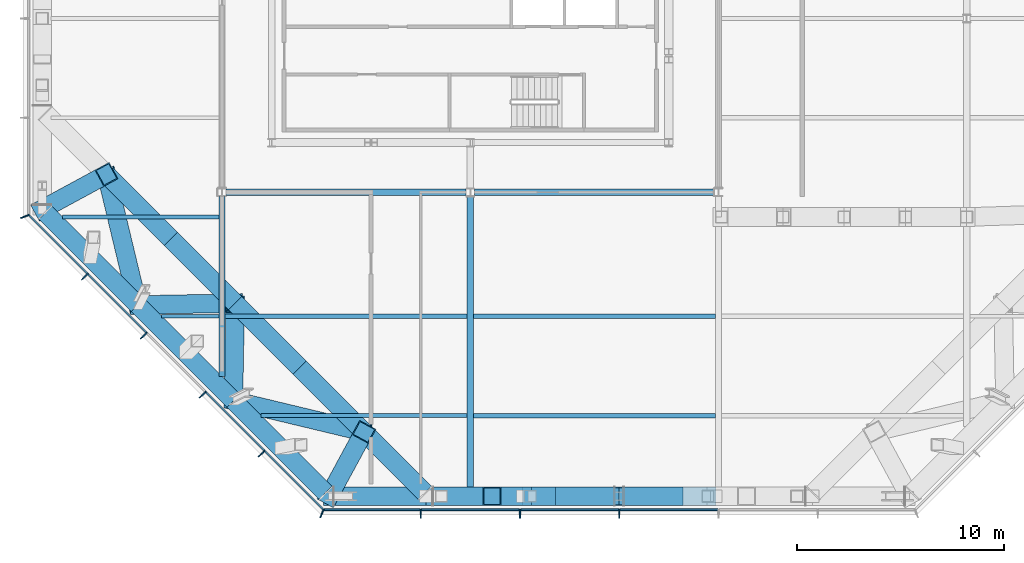
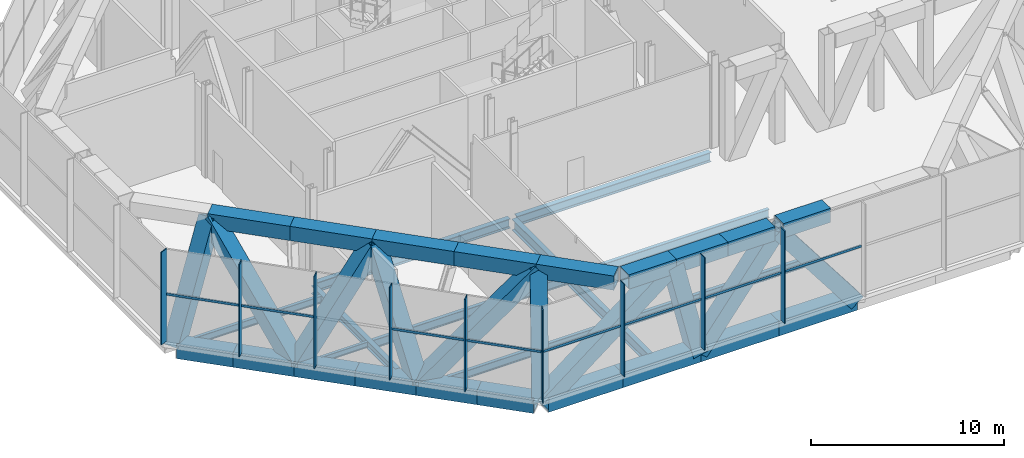
# One storey, part 3 of 18: 39 beams, 17 members, 2 elements without a shape of their own.
"""IFC4 building model written with IfcOpenShell, lengths in metres."""

from ifc_helpers import new_model, si_unit, direction, frame, origin, origin_2d, place, context, subcontext, project, spatial, rectangle, hollow_rectangle, i_section, extrude, material, material_profile, profile_set, type_object, element, aggregate, save


model = new_model("IFC4")

# Units and contexts
model_context = context("Model", 3, precision=1e-05, world=origin(), true_north=direction((0.0, 1.0)))
body_context = subcontext(model_context, "Body", "Model", "MODEL_VIEW")
ifc_project = project(units=[si_unit("LENGTHUNIT", "METRE"), si_unit("AREAUNIT", "SQUARE_METRE"), si_unit("VOLUMEUNIT", "CUBIC_METRE"), si_unit("PLANEANGLEUNIT", "RADIAN"), si_unit("MASSUNIT", "GRAM", prefix="KILO")], contexts=[model_context])

# Site, building, storey
site_placement = place(None, origin())
site = spatial("IfcSite", under=ifc_project, at=site_placement, CompositionType="ELEMENT")
building_placement = place(site_placement, origin())
building = spatial("IfcBuilding", under=site, at=building_placement, Name="Cairn Pilgrim Tower", CompositionType="ELEMENT")
storey_placement = place(building_placement, frame((0.0, 0.0, 204.60009765625)))
storey = spatial("IfcBuildingStorey", under=building, at=storey_placement, Name="L52", CompositionType="ELEMENT", Elevation=204.60009765625)

# Beams
ifc_material_1 = material(Name="Structural steel S460M", Category="steel")
ifc_material_profile_1 = material_profile(ifc_material_1, hollow_rectangle(XDim=0.89990234375, YDim=0.89990234375, WallThickness=0.050048828125, at=origin_2d()), Name="BOX 900x900x50")
ifc_profile_set_1 = profile_set([ifc_material_profile_1], Name="Structural steel S460M")
beam_type_1 = type_object("IfcBeamType", Name="BOX 900x900x50 CHORD", PredefinedType="USERDEFINED", material=ifc_profile_set_1)
beam_1_placement = place(storey_placement, frame((0.609130859375, -23.10009765625, -0.7001953125), z_axis=(1.0, 0.0, 0.0), x_axis=(0.0, 1.0, 0.0)))
element("IfcBeam", 1, at=beam_1_placement, inside=storey, type_object=beam_type_1, Name="BT52-S-BC1", ObjectType="CHORD", PredefinedType="USERDEFINED", context=body_context, shape_type="SweptSolid", body=[
    extrude(hollow_rectangle(XDim=0.89990234375, YDim=0.89990234375, WallThickness=0.050048828125, at=origin_2d()), origin(), (0.0, 0.0, 1.0), 4.439453125),
])
beam_2_placement = place(storey_placement, frame((5.4091796875, -23.10009765625, 5.39990234375), z_axis=(1.0, 0.0, 0.0), x_axis=(0.0, 1.0, 0.0)))
element("IfcBeam", 2, at=beam_2_placement, inside=storey, type_object=beam_type_1, Name="BT52-S-TC1", ObjectType="CHORD", PredefinedType="USERDEFINED", context=body_context, shape_type="SweptSolid", body=[
    extrude(hollow_rectangle(XDim=0.89990234375, YDim=0.89990234375, WallThickness=0.050048828125, at=origin_2d()), origin(), (0.0, 0.0, 1.0), 2.83935546875),
])
beam_3_placement = place(storey_placement, frame((5.048583984375, -23.10009765625, -0.7001953125), z_axis=(1.0, 0.0, 0.0), x_axis=(0.0, 1.0, 0.0)))
element("IfcBeam", 3, at=beam_3_placement, inside=storey, type_object=beam_type_1, Name="BT52-S-BC2", ObjectType="CHORD", PredefinedType="USERDEFINED", context=body_context, shape_type="SweptSolid", body=[
    extrude(hollow_rectangle(XDim=0.89990234375, YDim=0.89990234375, WallThickness=0.050048828125, at=origin_2d()), origin(), (0.0, 0.0, 1.0), 4.67578125),
])
beam_4_placement = place(storey_placement, frame((8.24853515625, -23.10009765625, 5.39990234375), z_axis=(1.0, 0.0, 0.0), x_axis=(0.0, 1.0, 0.0)))
element("IfcBeam", 4, at=beam_4_placement, inside=storey, type_object=beam_type_1, Name="BT52-S-TC2", ObjectType="CHORD", PredefinedType="USERDEFINED", context=body_context, shape_type="SweptSolid", body=[
    extrude(hollow_rectangle(XDim=0.89990234375, YDim=0.89990234375, WallThickness=0.050048828125, at=origin_2d()), origin(), (0.0, 0.0, 1.0), 3.07568359375),
])
beam_5_placement = place(storey_placement, frame((9.724365234375, -23.10009765625, -0.7001953125), z_axis=(1.0, 0.0, 0.0), x_axis=(0.0, 1.0, 0.0)))
element("IfcBeam", 5, at=beam_5_placement, inside=storey, type_object=beam_type_1, Name="BT52-S-BC3", ObjectType="CHORD", PredefinedType="USERDEFINED", context=body_context, shape_type="SweptSolid", body=[
    extrude(hollow_rectangle(XDim=0.89990234375, YDim=0.89990234375, WallThickness=0.050048828125, at=origin_2d()), origin(), (0.0, 0.0, 1.0), 4.675537109375),
])
beam_6_placement = place(storey_placement, frame((11.32421875, -23.10009765625, 5.39990234375), z_axis=(1.0, 0.0, 0.0), x_axis=(0.0, 1.0, 0.0)))
element("IfcBeam", 6, at=beam_6_placement, inside=storey, type_object=beam_type_1, Name="BT52-S-TC3", ObjectType="CHORD", PredefinedType="USERDEFINED", context=body_context, shape_type="SweptSolid", body=[
    extrude(hollow_rectangle(XDim=0.89990234375, YDim=0.89990234375, WallThickness=0.050048828125, at=origin_2d()), origin(), (0.0, 0.0, 1.0), 2.827880859375),
])
beam_7_placement = place(storey_placement, frame((14.39990234375, -23.10009765625, -0.7001953125), z_axis=(1.0, 0.0, 0.0), x_axis=(0.0, 1.0, 0.0)))
element("IfcBeam", 7, at=beam_7_placement, inside=storey, type_object=beam_type_1, Name="BT52-S-BC4", ObjectType="CHORD", PredefinedType="USERDEFINED", context=body_context, shape_type="SweptSolid", body=[
    extrude(hollow_rectangle(XDim=0.89990234375, YDim=0.89990234375, WallThickness=0.050048828125, at=origin_2d()), origin(), (0.0, 0.0, 1.0), 4.67578125),
])
beam_8_placement = place(storey_placement, frame((14.64794921875, -23.10009765625, 5.39990234375), z_axis=(1.0, 0.0, 0.0), x_axis=(0.0, 1.0, 0.0)))
element("IfcBeam", 8, at=beam_8_placement, inside=storey, type_object=beam_type_1, Name="BT52-S-TC4", ObjectType="CHORD", PredefinedType="USERDEFINED", context=body_context, shape_type="SweptSolid", body=[
    extrude(hollow_rectangle(XDim=0.89990234375, YDim=0.89990234375, WallThickness=0.050048828125, at=origin_2d()), origin(), (0.0, 0.0, 1.0), 2.82763671875),
])
beam_9_placement = place(storey_placement, frame((-13.332763671875, -9.394287109375, -0.7001953125), z_axis=(0.707066537211, -0.707147022872, 0.0), x_axis=(0.707147022872, 0.707066537211, 0.0)))
element("IfcBeam", 9, at=beam_9_placement, inside=storey, type_object=beam_type_1, Name="BT52-SW-BC1", ObjectType="CHORD", PredefinedType="USERDEFINED", context=body_context, shape_type="SweptSolid", body=[
    extrude(hollow_rectangle(XDim=0.89990234375, YDim=0.89990234375, WallThickness=0.050048828125, at=origin_2d()), origin(), (0.0, 0.0, 1.0), 3.033447265625),
])
beam_10_placement = place(storey_placement, frame((-11.18798828125, -11.539306640625, -0.7001953125), z_axis=(0.707106781187, -0.707106781187, 0.0), x_axis=(0.707106781187, 0.707106781187, 0.0)))
element("IfcBeam", 10, at=beam_10_placement, inside=storey, type_object=beam_type_1, Name="BT52-SW-BC2", ObjectType="CHORD", PredefinedType="USERDEFINED", context=body_context, shape_type="SweptSolid", body=[
    extrude(hollow_rectangle(XDim=0.89990234375, YDim=0.89990234375, WallThickness=0.050048828125, at=origin_2d()), origin(), (0.0, 0.0, 1.0), 3.27001953125),
])
beam_11_placement = place(storey_placement, frame((-10.387939453125, -7.539306640625, 5.39990234375), z_axis=(0.707106781187, -0.707106781187, 0.0), x_axis=(0.707106781187, 0.707106781187, 0.0)))
element("IfcBeam", 11, at=beam_11_placement, inside=storey, type_object=beam_type_1, Name="BT52-SW-TC2", ObjectType="CHORD", PredefinedType="USERDEFINED", context=body_context, shape_type="SweptSolid", body=[
    extrude(hollow_rectangle(XDim=0.89990234375, YDim=0.89990234375, WallThickness=0.050048828125, at=origin_2d()), origin(), (0.0, 0.0, 1.0), 4.4013671875),
])
beam_12_placement = place(storey_placement, frame((-8.875732421875, -13.8515625, -0.7001953125), z_axis=(0.707106781187, -0.707106781187, 0.0), x_axis=(0.707106781187, 0.707106781187, 0.0)))
element("IfcBeam", 12, at=beam_12_placement, inside=storey, type_object=beam_type_1, Name="BT52-SW-BC3", ObjectType="CHORD", PredefinedType="USERDEFINED", context=body_context, shape_type="SweptSolid", body=[
    extrude(hollow_rectangle(XDim=0.89990234375, YDim=0.89990234375, WallThickness=0.050048828125, at=origin_2d()), origin(), (0.0, 0.0, 1.0), 3.269775390625),
])
beam_13_placement = place(storey_placement, frame((-7.275634765625, -10.651611328125, 5.39990234375), z_axis=(0.707106781187, -0.707106781187, 0.0), x_axis=(0.707106781187, 0.707106781187, 0.0)))
element("IfcBeam", 13, at=beam_13_placement, inside=storey, type_object=beam_type_1, Name="BT52-SW-TC3", ObjectType="CHORD", PredefinedType="USERDEFINED", context=body_context, shape_type="SweptSolid", body=[
    extrude(hollow_rectangle(XDim=0.89990234375, YDim=0.89990234375, WallThickness=0.050048828125, at=origin_2d()), origin(), (0.0, 0.0, 1.0), 4.401123046875),
])
beam_14_placement = place(storey_placement, frame((-6.563720703125, -16.16357421875, -0.7001953125), z_axis=(0.707144112273, -0.707069448129, 0.0), x_axis=(0.707069448129, 0.707144112273, 0.0)))
element("IfcBeam", 14, at=beam_14_placement, inside=storey, type_object=beam_type_1, Name="BT52-SW-BC4", ObjectType="CHORD", PredefinedType="USERDEFINED", context=body_context, shape_type="SweptSolid", body=[
    extrude(hollow_rectangle(XDim=0.89990234375, YDim=0.89990234375, WallThickness=0.050048828125, at=origin_2d()), origin(), (0.0, 0.0, 1.0), 3.269775390625),
])
beam_15_placement = place(storey_placement, frame((-4.16357421875, -13.763671875, 5.39990234375), z_axis=(0.707106781187, -0.707106781187, 0.0), x_axis=(0.707106781187, 0.707106781187, 0.0)))
element("IfcBeam", 15, at=beam_15_placement, inside=storey, type_object=beam_type_1, Name="BT52-SW-TC4", ObjectType="CHORD", PredefinedType="USERDEFINED", context=body_context, shape_type="SweptSolid", body=[
    extrude(hollow_rectangle(XDim=0.89990234375, YDim=0.89990234375, WallThickness=0.050048828125, at=origin_2d()), origin(), (0.0, 0.0, 1.0), 4.401123046875),
])
beam_16_placement = place(storey_placement, frame((-4.25146484375, -18.4755859375, -0.7001953125), z_axis=(0.707106781187, -0.707106781187, 0.0), x_axis=(0.707106781187, 0.707106781187, 0.0)))
element("IfcBeam", 16, at=beam_16_placement, inside=storey, type_object=beam_type_1, Name="BT52-SW-BC5", ObjectType="CHORD", PredefinedType="USERDEFINED", context=body_context, shape_type="SweptSolid", body=[
    extrude(hollow_rectangle(XDim=0.89990234375, YDim=0.89990234375, WallThickness=0.050048828125, at=origin_2d()), origin(), (0.0, 0.0, 1.0), 3.27001953125),
])
beam_17_placement = place(storey_placement, frame((-1.051513671875, -16.875732421875, 5.39990234375), z_axis=(0.707134515759, -0.707079045527, 0.0), x_axis=(0.707079045527, 0.707134515759, 0.0)))
element("IfcBeam", 17, at=beam_17_placement, inside=storey, type_object=beam_type_1, Name="BT52-SW-TC5", ObjectType="CHORD", PredefinedType="USERDEFINED", context=body_context, shape_type="SweptSolid", body=[
    extrude(hollow_rectangle(XDim=0.89990234375, YDim=0.89990234375, WallThickness=0.050048828125, at=origin_2d()), origin(), (0.0, 0.0, 1.0), 4.4013671875),
])
beam_18_placement = place(storey_placement, frame((-1.939208984375, -20.787841796875, -0.7001953125), z_axis=(0.707066537211, -0.707147022872, 0.0), x_axis=(0.707147022872, 0.707066537211, 0.0)))
element("IfcBeam", 18, at=beam_18_placement, inside=storey, type_object=beam_type_1, Name="BT52-SW-BC6", ObjectType="CHORD", PredefinedType="USERDEFINED", context=body_context, shape_type="SweptSolid", body=[
    extrude(hollow_rectangle(XDim=0.89990234375, YDim=0.89990234375, WallThickness=0.050048828125, at=origin_2d()), origin(), (0.0, 0.0, 1.0), 3.033447265625),
])
beam_19_placement = place(storey_placement, frame((2.060791015625, -19.98779296875, 5.39990234375), z_axis=(0.707077470453, -0.707136090705, 0.0), x_axis=(0.707136090705, 0.707077470453, 0.0)))
element("IfcBeam", 19, at=beam_19_placement, inside=storey, type_object=beam_type_1, Name="BT52-SW-TC6", ObjectType="CHORD", PredefinedType="USERDEFINED", context=body_context, shape_type="SweptSolid", body=[
    extrude(hollow_rectangle(XDim=0.89990234375, YDim=0.89990234375, WallThickness=0.050048828125, at=origin_2d()), origin(), (0.0, 0.0, 1.0), 4.164794921875),
])
ifc_material_profile_2 = material_profile(ifc_material_1, hollow_rectangle(XDim=0.89990234375, YDim=0.89990234375, WallThickness=0.050048828125, at=origin_2d()), Name="BOX 900x900x50")
ifc_profile_set_2 = profile_set([ifc_material_profile_2], Name="Structural steel S460M")
beam_type_2 = type_object("IfcBeamType", Name="BOX 900x900x50 DIAGONAL", PredefinedType="USERDEFINED", material=ifc_profile_set_2)
beam_20_placement = place(storey_placement, frame((0.372802734375, -23.10009765625, -0.7001953125), z_axis=(0.790589750106, 0.0, 0.612346182341), x_axis=(0.0, 1.0, 0.0)))
element("IfcBeam", 20, at=beam_20_placement, inside=storey, type_object=beam_type_2, Name="BT52-S-D1", ObjectType="DIAGONAL", PredefinedType="USERDEFINED", context=body_context, shape_type="SweptSolid", body=[
    extrude(hollow_rectangle(XDim=0.89990234375, YDim=0.89990234375, WallThickness=0.050048828125, at=origin_2d()), origin(), (0.0, 0.0, 1.0), 9.9619140625),
])
beam_21_placement = place(storey_placement, frame((8.24853515625, -23.10009765625, 5.39990234375), z_axis=(0.235151316301, 0.0, -0.971958774044), x_axis=(0.0, 1.0, 0.0)))
element("IfcBeam", 21, at=beam_21_placement, inside=storey, type_object=beam_type_2, Name="BT52-S-D2", ObjectType="DIAGONAL", PredefinedType="USERDEFINED", context=body_context, shape_type="SweptSolid", body=[
    extrude(hollow_rectangle(XDim=0.89990234375, YDim=0.89990234375, WallThickness=0.050048828125, at=origin_2d()), origin(), (0.0, 0.0, 1.0), 6.276123046875),
])
beam_22_placement = place(storey_placement, frame((9.724365234375, -23.10009765625, -0.7001953125), z_axis=(0.608332842725, 0.0, 0.793682022262), x_axis=(0.0, 1.0, 0.0)))
element("IfcBeam", 22, at=beam_22_placement, inside=storey, type_object=beam_type_2, Name="BT52-S-D3", ObjectType="DIAGONAL", PredefinedType="USERDEFINED", context=body_context, shape_type="SweptSolid", body=[
    extrude(hollow_rectangle(XDim=0.89990234375, YDim=0.89990234375, WallThickness=0.050048828125, at=origin_2d()), origin(), (0.0, 0.0, 1.0), 7.685791015625),
])
beam_23_placement = place(storey_placement, frame((14.39990234375, -23.10009765625, 5.39990234375), z_axis=(0.608352851952, 0.0, -0.793666685405), x_axis=(0.0, 1.0, 0.0)))
element("IfcBeam", 23, at=beam_23_placement, inside=storey, type_object=beam_type_2, Name="BT52-S-D4", ObjectType="DIAGONAL", PredefinedType="USERDEFINED", context=body_context, shape_type="SweptSolid", body=[
    extrude(hollow_rectangle(XDim=0.89990234375, YDim=0.89990234375, WallThickness=0.050048828125, at=origin_2d()), origin(), (0.0, 0.0, 1.0), 7.68603515625),
])
beam_24_placement = place(storey_placement, frame((-13.5, -9.227294921875, -0.7001953125), z_axis=(0.44123657139, 0.239327657848, 0.864888756001), x_axis=(-0.476782909036, 0.879021079185, 0.0)))
element("IfcBeam", 24, at=beam_24_placement, inside=storey, type_object=beam_type_2, Name="BT52-SW-D1", ObjectType="DIAGONAL", PredefinedType="USERDEFINED", context=body_context, shape_type="SweptSolid", body=[
    extrude(hollow_rectangle(XDim=0.89990234375, YDim=0.89990234375, WallThickness=0.050048828125, at=origin_2d()), origin(), (0.0, 0.0, 1.0), 7.052978515625),
])
beam_25_placement = place(storey_placement, frame((-10.387939453125, -7.539306640625, 5.39990234375), z_axis=(0.169768931579, -0.708649616723, -0.684831534459), x_axis=(0.972482817608, 0.232974611188, 0.0)))
element("IfcBeam", 25, at=beam_25_placement, inside=storey, type_object=beam_type_2, Name="BT52-SW-D2", ObjectType="DIAGONAL", PredefinedType="USERDEFINED", context=body_context, shape_type="SweptSolid", body=[
    extrude(hollow_rectangle(XDim=0.89990234375, YDim=0.89990234375, WallThickness=0.050048828125, at=origin_2d()), origin(), (0.0, 0.0, 1.0), 8.907470703125),
])
beam_26_placement = place(storey_placement, frame((-8.875732421875, -13.8515625, -0.7001953125), z_axis=(0.611281557072, 0.011401552279, 0.791331070152), x_axis=(-0.018648639741, 0.999826098997, 0.0)))
element("IfcBeam", 26, at=beam_26_placement, inside=storey, type_object=beam_type_2, Name="BT52-SW-D3", ObjectType="DIAGONAL", PredefinedType="USERDEFINED", context=body_context, shape_type="SweptSolid", body=[
    extrude(hollow_rectangle(XDim=0.89990234375, YDim=0.89990234375, WallThickness=0.050048828125, at=origin_2d()), origin(), (0.0, 0.0, 1.0), 7.708740234375),
])
beam_27_placement = place(storey_placement, frame((-4.16357421875, -13.763671875, 5.39990234375), z_axis=(-0.011401773013, -0.611261719859, -0.791346390279), x_axis=(0.999826080981, -0.018649605656, 0.0)))
element("IfcBeam", 27, at=beam_27_placement, inside=storey, type_object=beam_type_2, Name="BT52-SW-D4", ObjectType="DIAGONAL", PredefinedType="USERDEFINED", context=body_context, shape_type="SweptSolid", body=[
    extrude(hollow_rectangle(XDim=0.89990234375, YDim=0.89990234375, WallThickness=0.050048828125, at=origin_2d()), origin(), (0.0, 0.0, 1.0), 7.70849609375),
])
beam_28_placement = place(storey_placement, frame((-4.25146484375, -18.4755859375, -0.7001953125), z_axis=(0.708649616723, -0.169768931579, 0.684831534459), x_axis=(0.232974611188, 0.972482817608, 0.0)))
element("IfcBeam", 28, at=beam_28_placement, inside=storey, type_object=beam_type_2, Name="BT52-SW-D5", ObjectType="DIAGONAL", PredefinedType="USERDEFINED", context=body_context, shape_type="SweptSolid", body=[
    extrude(hollow_rectangle(XDim=0.89990234375, YDim=0.89990234375, WallThickness=0.050048828125, at=origin_2d()), origin(), (0.0, 0.0, 1.0), 8.907470703125),
])
beam_29_placement = place(storey_placement, frame((2.060791015625, -19.98779296875, 5.39990234375), z_axis=(-0.239324002447, -0.441264446514, -0.864875546015), x_axis=(0.879036753666, -0.476754009637, 0.0)))
element("IfcBeam", 29, at=beam_29_placement, inside=storey, type_object=beam_type_2, Name="BT52-SW-D6", ObjectType="DIAGONAL", PredefinedType="USERDEFINED", context=body_context, shape_type="SweptSolid", body=[
    extrude(hollow_rectangle(XDim=0.89990234375, YDim=0.89990234375, WallThickness=0.050048828125, at=origin_2d()), origin(), (0.0, 0.0, 1.0), 7.05322265625),
])

# Curtain wall, members
ifc_material_2 = material(Name="Aluminium alloy 6063-T6 bronze anodised with Bronze tinted laminated low-E glass 8+16+8.8", Category="aluminium")
curtain_wall_type = type_object("IfcCurtainWallType", Name="PLANT LOUVRE CURTAIN WALL", PredefinedType="NOTDEFINED", material=ifc_material_2)
curtain_wall_1_placement = place(storey_placement, origin())
curtain_wall_1 = element("IfcCurtainWall", 30, at=curtain_wall_1_placement, inside=storey, type_object=curtain_wall_type, Name="Plant Louvre Curtain Wall S", PredefinedType="NOTDEFINED")
ifc_material_3 = material(Name="Aluminium alloy 6063-T6 bronze anodised", Category="aluminium")
ifc_material_profile_3 = material_profile(ifc_material_3, rectangle(XDim=0.449951171875, YDim=0.06005859375, at=origin_2d()), Name="FIN MULLION 60x450 BRONZE")
ifc_profile_set_3 = profile_set([ifc_material_profile_3], Name="Aluminium alloy 6063-T6 bronze anodised")
member_type_1 = type_object("IfcMemberType", Name="FIN MULLION 60x450 BRONZE", PredefinedType="MULLION", material=ifc_profile_set_3)
member_1_placement = place(storey_placement, frame((0.02880859375, -23.93017578125, 0.0), z_axis=(0.0, 0.0, 1.0), x_axis=(-0.382683432365, -0.923879532511, 0.0)))
member_1 = element("IfcMember", 31, at=member_1_placement, type_object=member_type_1, Name="Fin mullion S1", PredefinedType="MULLION", context=body_context, shape_type="SweptSolid", body=[
    extrude(rectangle(XDim=0.449951171875, YDim=0.06005859375, at=origin_2d()), origin(), (0.0, 0.0, 1.0), 5.849853515625),
])
member_2_placement = place(storey_placement, frame((4.800048828125, -23.945068359375, 0.0), z_axis=(0.0, 0.0, 1.0), x_axis=(0.0, -1.0, 0.0)))
member_2 = element("IfcMember", 32, at=member_2_placement, type_object=member_type_1, Name="Fin mullion S2", PredefinedType="MULLION", context=body_context, shape_type="SweptSolid", body=[
    extrude(rectangle(XDim=0.449951171875, YDim=0.06005859375, at=origin_2d()), origin(), (0.0, 0.0, 1.0), 5.849853515625),
])
member_3_placement = place(storey_placement, frame((9.60009765625, -23.945068359375, 0.0), z_axis=(0.0, 0.0, 1.0), x_axis=(0.0, -1.0, 0.0)))
member_3 = element("IfcMember", 33, at=member_3_placement, type_object=member_type_1, Name="Fin mullion S3", PredefinedType="MULLION", context=body_context, shape_type="SweptSolid", body=[
    extrude(rectangle(XDim=0.449951171875, YDim=0.06005859375, at=origin_2d()), origin(), (0.0, 0.0, 1.0), 5.849853515625),
])
member_4_placement = place(storey_placement, frame((14.39990234375, -23.945068359375, 0.0), z_axis=(0.0, 0.0, 1.0), x_axis=(0.0, -1.0, 0.0)))
member_4 = element("IfcMember", 34, at=member_4_placement, type_object=member_type_1, Name="Fin mullion S4", PredefinedType="MULLION", context=body_context, shape_type="SweptSolid", body=[
    extrude(rectangle(XDim=0.449951171875, YDim=0.06005859375, at=origin_2d()), origin(), (0.0, 0.0, 1.0), 5.849853515625),
])

curtain_wall_2_placement = place(storey_placement, origin())
curtain_wall_2 = element("IfcCurtainWall", 35, at=curtain_wall_2_placement, inside=storey, type_object=curtain_wall_type, Name="Plant Louvre Curtain Wall SW", PredefinedType="NOTDEFINED")
member_5_placement = place(storey_placement, frame((-14.330078125, -9.571044921875, 0.0), z_axis=(0.0, 0.0, 1.0), x_axis=(-0.923879532511, -0.382683432365, 0.0)))
member_5 = element("IfcMember", 36, at=member_5_placement, type_object=member_type_1, Name="Fin mullion SW1", PredefinedType="MULLION", context=body_context, shape_type="SweptSolid", body=[
    extrude(rectangle(XDim=0.449951171875, YDim=0.06005859375, at=origin_2d()), origin(), (0.0, 0.0, 1.0), 5.849853515625),
])
member_6_placement = place(storey_placement, frame((-11.437255859375, -12.485107421875, 0.0), z_axis=(0.0, 0.0, 1.0), x_axis=(-0.707106781187, -0.707106781187, 0.0)))
member_6 = element("IfcMember", 37, at=member_6_placement, type_object=member_type_1, Name="Fin mullion SW2", PredefinedType="MULLION", context=body_context, shape_type="SweptSolid", body=[
    extrude(rectangle(XDim=0.449951171875, YDim=0.06005859375, at=origin_2d()), origin(), (0.0, 0.0, 1.0), 5.849853515625),
])
member_7_placement = place(storey_placement, frame((-8.58642578125, -15.335693359375, 0.0), z_axis=(0.0, 0.0, 1.0), x_axis=(-0.707106781187, -0.707106781187, 0.0)))
member_7 = element("IfcMember", 38, at=member_7_placement, type_object=member_type_1, Name="Fin mullion SW3", PredefinedType="MULLION", context=body_context, shape_type="SweptSolid", body=[
    extrude(rectangle(XDim=0.449951171875, YDim=0.06005859375, at=origin_2d()), origin(), (0.0, 0.0, 1.0), 5.849853515625),
])
member_8_placement = place(storey_placement, frame((-5.73583984375, -18.1865234375, 0.0), z_axis=(0.0, 0.0, 1.0), x_axis=(-0.707106781187, -0.707106781187, 0.0)))
member_8 = element("IfcMember", 39, at=member_8_placement, type_object=member_type_1, Name="Fin mullion SW4", PredefinedType="MULLION", context=body_context, shape_type="SweptSolid", body=[
    extrude(rectangle(XDim=0.449951171875, YDim=0.06005859375, at=origin_2d()), origin(), (0.0, 0.0, 1.0), 5.849853515625),
])
member_9_placement = place(storey_placement, frame((-2.885009765625, -21.037109375, 0.0), z_axis=(0.0, 0.0, 1.0), x_axis=(-0.707106781187, -0.707106781187, 0.0)))
member_9 = element("IfcMember", 40, at=member_9_placement, type_object=member_type_1, Name="Fin mullion SW5", PredefinedType="MULLION", context=body_context, shape_type="SweptSolid", body=[
    extrude(rectangle(XDim=0.449951171875, YDim=0.06005859375, at=origin_2d()), origin(), (0.0, 0.0, 1.0), 5.849853515625),
])

# Beams
ifc_material_4 = material(Name="Structural steel S355J2", Category="steel")
ifc_material_profile_4 = material_profile(ifc_material_4, i_section(OverallWidth=0.300048828125, OverallDepth=0.5, WebThickness=0.014404296875, FlangeThickness=0.028076171875, FilletRadius=0.027099609375, at=origin_2d()), Name="HEB 500")
ifc_profile_set_4 = profile_set([ifc_material_profile_4], Name="Structural steel S355J2")
beam_type_3 = type_object("IfcBeamType", Name="HEB 500 GIRDER", PredefinedType="BEAM", material=ifc_profile_set_4)
beam_30_placement = place(storey_placement, frame((-4.800048828125, -17.32080078125, -0.5), z_axis=(0.0, 1.0, 0.0), x_axis=(-1.0, 0.0, 0.0)))
element("IfcBeam", 41, at=beam_30_placement, inside=storey, type_object=beam_type_3, Name="PG2-1", PredefinedType="BEAM", context=body_context, shape_type="SweptSolid", body=[
    extrude(i_section(OverallWidth=0.300048828125, OverallDepth=0.5, WebThickness=0.014404296875, FlangeThickness=0.028076171875, FilletRadius=0.027099609375, at=origin_2d()), origin(), (0.0, 0.0, 1.0), 8.72119140625),
])
ifc_material_profile_5 = material_profile(ifc_material_4, i_section(OverallWidth=0.300048828125, OverallDepth=0.60009765625, WebThickness=0.015380859375, FlangeThickness=0.030029296875, FilletRadius=0.027099609375, at=origin_2d()), Name="HEB 600")
ifc_profile_set_5 = profile_set([ifc_material_profile_5], Name="Structural steel S355J2")
beam_type_4 = type_object("IfcBeamType", Name="HEB 600 INNER GIRDER", PredefinedType="BEAM", material=ifc_profile_set_5)
for number, where, z_axis, x_axis, name in (
    (42, (-4.6005859375, -8.39990234375, -0.550048828125), (1.0, 0.0, 0.0), (0.0, 1.0, 0.0), "IG1-1"),
    (43, (7.3994140625, -8.39990234375, -0.550048828125), (1.0, 0.0, 0.0), (0.0, 1.0, 0.0), "IG1-2"),
):
    element("IfcBeam", number, at=place(storey_placement, frame(where, z_axis=z_axis, x_axis=x_axis)), inside=storey, type_object=beam_type_4, Name=name, PredefinedType="BEAM", context=body_context, shape_type="SweptSolid", body=[
        extrude(i_section(OverallWidth=0.300048828125, OverallDepth=0.60009765625, WebThickness=0.015380859375, FlangeThickness=0.030029296875, FilletRadius=0.027099609375, at=origin_2d()), origin(), (0.0, 0.0, 1.0), 11.60107421875),
    ])
ifc_material_profile_6 = material_profile(ifc_material_4, i_section(OverallWidth=0.300048828125, OverallDepth=0.699951171875, WebThickness=0.01708984375, FlangeThickness=0.031982421875, FilletRadius=0.027099609375, at=origin_2d()), Name="HEB 700")
ifc_profile_set_6 = profile_set([ifc_material_profile_6], Name="Structural steel S355J2")
beam_type_5 = type_object("IfcBeamType", Name="HEB 700 GIRDER", PredefinedType="BEAM", material=ifc_profile_set_6)
beam_31_placement = place(storey_placement, frame((7.199951171875, -22.679931640625, -0.60009765625), z_axis=(0.0, 1.0, 0.0), x_axis=(-1.0, 0.0, 0.0)))
element("IfcBeam", 44, at=beam_31_placement, inside=storey, type_object=beam_type_5, Name="PG3-1", PredefinedType="BEAM", context=body_context, shape_type="SweptSolid", body=[
    extrude(i_section(OverallWidth=0.300048828125, OverallDepth=0.699951171875, WebThickness=0.01708984375, FlangeThickness=0.031982421875, FilletRadius=0.027099609375, at=origin_2d()), origin(), (0.0, 0.0, 1.0), 14.080322265625),
])
ifc_material_profile_7 = material_profile(ifc_material_4, i_section(OverallWidth=0.169921875, OverallDepth=0.360107421875, WebThickness=0.008056640625, FlangeThickness=0.0126953125, FilletRadius=0.01806640625, at=origin_2d()), Name="IPE 360")
ifc_profile_set_7 = profile_set([ifc_material_profile_7], Name="Structural steel S355J2")
beam_type_6 = type_object("IfcBeamType", Name="IPE 360 SECONDARY BEAM", PredefinedType="JOIST", material=ifc_profile_set_7)
beam_32_placement = place(storey_placement, frame((-7.720703125, -14.39990234375, -0.43017578125), z_axis=(1.0, 0.0, 0.0), x_axis=(0.0, 1.0, 0.0)))
element("IfcBeam", 45, at=beam_32_placement, inside=storey, type_object=beam_type_6, Name="SB2-1", PredefinedType="JOIST", context=body_context, shape_type="SweptSolid", body=[
    extrude(i_section(OverallWidth=0.169921875, OverallDepth=0.360107421875, WebThickness=0.008056640625, FlangeThickness=0.0126953125, FilletRadius=0.01806640625, at=origin_2d()), origin(), (0.0, 0.0, 1.0), 2.770751953125),
])
ifc_material_profile_8 = material_profile(ifc_material_4, i_section(OverallWidth=0.18994140625, OverallDepth=0.449951171875, WebThickness=0.009521484375, FlangeThickness=0.0146484375, FilletRadius=0.02099609375, at=origin_2d()), Name="IPE 450")
ifc_profile_set_8 = profile_set([ifc_material_profile_8], Name="Structural steel S355J2")
beam_type_7 = type_object("IfcBeamType", Name="IPE 450 SECONDARY BEAM", PredefinedType="JOIST", material=ifc_profile_set_8)
beam_33_placement = place(storey_placement, frame((-12.520751953125, -9.60009765625, -0.47509765625), z_axis=(1.0, 0.0, 0.0), x_axis=(0.0, 1.0, 0.0)))
element("IfcBeam", 46, at=beam_33_placement, inside=storey, type_object=beam_type_7, Name="SB3-1", PredefinedType="JOIST", context=body_context, shape_type="SweptSolid", body=[
    extrude(i_section(OverallWidth=0.18994140625, OverallDepth=0.449951171875, WebThickness=0.009521484375, FlangeThickness=0.0146484375, FilletRadius=0.02099609375, at=origin_2d()), origin(), (0.0, 0.0, 1.0), 7.57080078125),
])
ifc_material_profile_9 = material_profile(ifc_material_4, i_section(OverallWidth=0.199951171875, OverallDepth=0.5, WebThickness=0.01025390625, FlangeThickness=0.01611328125, FilletRadius=0.02099609375, at=origin_2d()), Name="IPE 500")
ifc_profile_set_9 = profile_set([ifc_material_profile_9], Name="Structural steel S355J2")
beam_type_8 = type_object("IfcBeamType", Name="IPE 500 SECONDARY BEAM", PredefinedType="JOIST", material=ifc_profile_set_9)
beam_34_placement = place(storey_placement, frame((-2.9208984375, -19.199951171875, -0.5), z_axis=(1.0, 0.0, 0.0), x_axis=(0.0, 1.0, 0.0)))
element("IfcBeam", 47, at=beam_34_placement, inside=storey, type_object=beam_type_8, Name="SB1-1", PredefinedType="JOIST", context=body_context, shape_type="SweptSolid", body=[
    extrude(i_section(OverallWidth=0.199951171875, OverallDepth=0.5, WebThickness=0.01025390625, FlangeThickness=0.01611328125, FilletRadius=0.02099609375, at=origin_2d()), origin(), (0.0, 0.0, 1.0), 9.970947265625),
])
ifc_material_profile_10 = material_profile(ifc_material_4, i_section(OverallWidth=0.2099609375, OverallDepth=0.550048828125, WebThickness=0.010986328125, FlangeThickness=0.01708984375, FilletRadius=0.02392578125, at=origin_2d()), Name="IPE 550")
ifc_profile_set_10 = profile_set([ifc_material_profile_10], Name="Structural steel S355J2")
beam_type_9 = type_object("IfcBeamType", Name="IPE 550 SECONDARY BEAM", PredefinedType="JOIST", material=ifc_profile_set_10)
for number, where, z_axis, x_axis, name in (
    (48, (7.35009765625, -19.199951171875, -0.525146484375), (1.0, 0.0, 0.0), (0.0, 1.0, 0.0), "SB1-2"),
    (49, (-4.64990234375, -14.39990234375, -0.525146484375), (1.0, 0.0, 0.0), (0.0, 1.0, 0.0), "SB2-2"),
    (50, (7.35009765625, -14.39990234375, -0.525146484375), (1.0, 0.0, 0.0), (0.0, 1.0, 0.0), "SB2-3"),
):
    element("IfcBeam", number, at=place(storey_placement, frame(where, z_axis=z_axis, x_axis=x_axis)), inside=storey, type_object=beam_type_9, Name=name, PredefinedType="JOIST", context=body_context, shape_type="SweptSolid", body=[
        extrude(i_section(OverallWidth=0.2099609375, OverallDepth=0.550048828125, WebThickness=0.010986328125, FlangeThickness=0.01708984375, FilletRadius=0.02392578125, at=origin_2d()), origin(), (0.0, 0.0, 1.0), 11.699951171875),
    ])

# Member
ifc_material_profile_11 = material_profile(ifc_material_3, rectangle(XDim=0.080078125, YDim=0.14990234375, at=origin_2d()), Name="TRANSOM 80x150 BRONZE")
ifc_profile_set_11 = profile_set([ifc_material_profile_11], Name="Aluminium alloy 6063-T6 bronze anodised")
member_type_2 = type_object("IfcMemberType", Name="TRANSOM 80x150 BRONZE", PredefinedType="USERDEFINED", material=ifc_profile_set_11)
member_10_placement = place(storey_placement, frame((0.1435546875, -23.75, 3.0), z_axis=(1.0, 0.0, 0.0), x_axis=(0.0, 1.0, 0.0)))
member_10 = element("IfcMember", 51, at=member_10_placement, type_object=member_type_2, Name="Transom S1", ObjectType="TRANSOM", PredefinedType="USERDEFINED", context=body_context, shape_type="SweptSolid", body=[
    extrude(rectangle(XDim=0.080078125, YDim=0.14990234375, at=origin_2d()), origin(), (0.0, 0.0, 1.0), 4.62646484375),
])

member_11_placement = place(storey_placement, frame((4.830078125, -23.75, 3.0), z_axis=(1.0, 0.0, 0.0), x_axis=(0.0, 1.0, 0.0)))
member_11 = element("IfcMember", 52, at=member_11_placement, type_object=member_type_2, Name="Transom S2", ObjectType="TRANSOM", PredefinedType="USERDEFINED", context=body_context, shape_type="SweptSolid", body=[
    extrude(rectangle(XDim=0.080078125, YDim=0.14990234375, at=origin_2d()), origin(), (0.0, 0.0, 1.0), 4.739990234375),
])

member_12_placement = place(storey_placement, frame((9.6298828125, -23.75, 3.0), z_axis=(1.0, 0.0, 0.0), x_axis=(0.0, 1.0, 0.0)))
member_12 = element("IfcMember", 53, at=member_12_placement, type_object=member_type_2, Name="Transom S3", ObjectType="TRANSOM", PredefinedType="USERDEFINED", context=body_context, shape_type="SweptSolid", body=[
    extrude(rectangle(XDim=0.080078125, YDim=0.14990234375, at=origin_2d()), origin(), (0.0, 0.0, 1.0), 4.740234375),
])

member_13_placement = place(storey_placement, frame((14.429931640625, -23.75, 3.0), z_axis=(1.0, 0.0, 0.0), x_axis=(0.0, 1.0, 0.0)))
member_13 = element("IfcMember", 54, at=member_13_placement, type_object=member_type_2, Name="Transom S4", ObjectType="TRANSOM", PredefinedType="USERDEFINED", context=body_context, shape_type="SweptSolid", body=[
    extrude(rectangle(XDim=0.080078125, YDim=0.14990234375, at=origin_2d()), origin(), (0.0, 0.0, 1.0), 4.739990234375),
])

aggregate(curtain_wall_1, [member_1, member_2, member_3, member_4, member_10, member_11, member_12, member_13])

member_14_placement = place(storey_placement, frame((-14.121826171875, -9.524658203125, 3.0), z_axis=(0.707106781187, -0.707106781187, 0.0), x_axis=(0.707106781187, 0.707106781187, 0.0)))
member_14 = element("IfcMember", 55, at=member_14_placement, type_object=member_type_2, Name="Transom SW1", ObjectType="TRANSOM", PredefinedType="USERDEFINED", context=body_context, shape_type="SweptSolid", body=[
    extrude(rectangle(XDim=0.080078125, YDim=0.14990234375, at=origin_2d()), origin(), (0.0, 0.0, 1.0), 3.961669921875),
])

member_15_placement = place(storey_placement, frame((-11.278076171875, -12.368408203125, 3.0), z_axis=(0.707106781187, -0.707106781187, 0.0), x_axis=(0.707106781187, 0.707106781187, 0.0)))
member_15 = element("IfcMember", 56, at=member_15_placement, type_object=member_type_2, Name="Transom SW2", ObjectType="TRANSOM", PredefinedType="USERDEFINED", context=body_context, shape_type="SweptSolid", body=[
    extrude(rectangle(XDim=0.080078125, YDim=0.14990234375, at=origin_2d()), origin(), (0.0, 0.0, 1.0), 3.9716796875),
])

member_16_placement = place(storey_placement, frame((-5.57666015625, -18.06982421875, 3.0), z_axis=(0.707106781187, -0.707106781187, 0.0), x_axis=(0.707106781187, 0.707106781187, 0.0)))
member_16 = element("IfcMember", 57, at=member_16_placement, type_object=member_type_2, Name="Transom SW4", ObjectType="TRANSOM", PredefinedType="USERDEFINED", context=body_context, shape_type="SweptSolid", body=[
    extrude(rectangle(XDim=0.080078125, YDim=0.14990234375, at=origin_2d()), origin(), (0.0, 0.0, 1.0), 3.9716796875),
])

member_17_placement = place(storey_placement, frame((-2.725830078125, -20.92041015625, 3.0), z_axis=(0.707075965734, -0.707137595296, 0.0), x_axis=(0.707137595296, 0.707075965734, 0.0)))
member_17 = element("IfcMember", 58, at=member_17_placement, type_object=member_type_2, Name="Transom SW5", ObjectType="TRANSOM", PredefinedType="USERDEFINED", context=body_context, shape_type="SweptSolid", body=[
    extrude(rectangle(XDim=0.080078125, YDim=0.14990234375, at=origin_2d()), origin(), (0.0, 0.0, 1.0), 3.96142578125),
])

aggregate(curtain_wall_2, [member_5, member_6, member_7, member_8, member_9, member_14, member_15, member_16, member_17])

save(model, "model.ifc")
